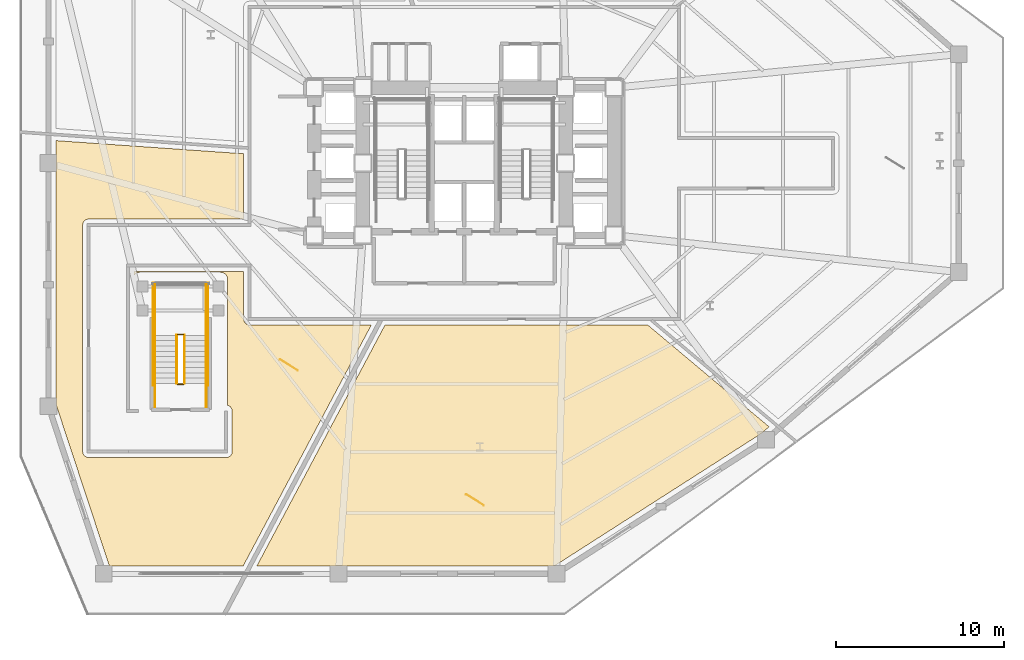
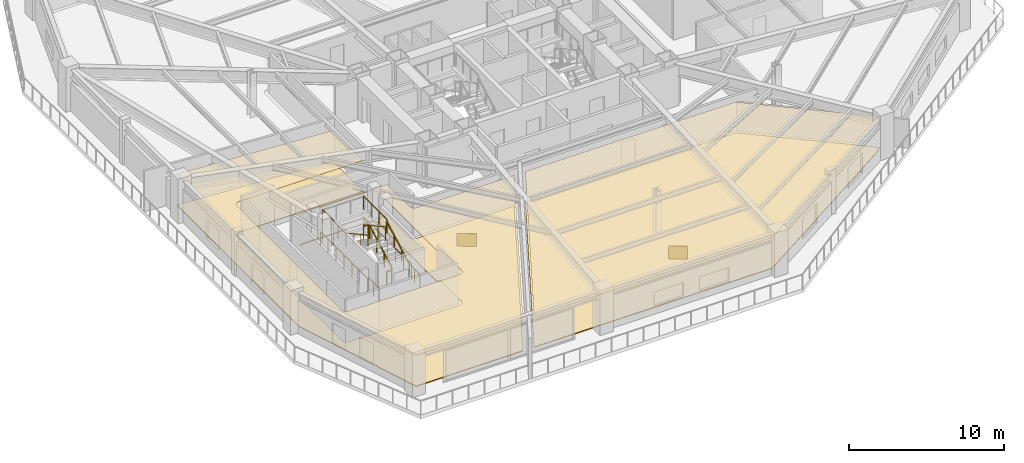
# One storey, part 9 of 12: 12 railings, 6 coverings.
"""IFC4 building model written with IfcOpenShell, lengths in metres."""

from ifc_helpers import new_model, si_unit, direction, frame, origin, origin_2d, place, context, subcontext, project, spatial, polyline, rectangle, outline, extrude, material, layer, layer_set, type_object, element, save


model = new_model("IFC4")

# Units and contexts
model_context = context("Model", 3, precision=1e-05, world=origin(), true_north=direction((0.0, 1.0)))
body_context = subcontext(model_context, "Body", "Model", "MODEL_VIEW")
ifc_project = project(units=[si_unit("LENGTHUNIT", "METRE"), si_unit("AREAUNIT", "SQUARE_METRE"), si_unit("VOLUMEUNIT", "CUBIC_METRE"), si_unit("PLANEANGLEUNIT", "RADIAN"), si_unit("MASSUNIT", "GRAM", prefix="KILO")], contexts=[model_context])

# Site, building, storey
site_placement = place(None, origin())
site = spatial("IfcSite", under=ifc_project, at=site_placement, CompositionType="ELEMENT")
building_placement = place(site_placement, origin())
building = spatial("IfcBuilding", under=site, at=building_placement, Name="Rocaltana Carrier Exchange", CompositionType="ELEMENT")
storey_placement = place(building_placement, frame((0.0, 0.0, 8.320068359375)))
storey = spatial("IfcBuildingStorey", under=building, at=storey_placement, Name="L03", CompositionType="ELEMENT", Elevation=8.320068359375)

# Coverings
ifc_material_1 = material(Name="Calcium Sulphate & Aluminium Pedestal", Category="aluminium")
ifc_layer_1 = layer(ifc_material_1, 0.06005859375)
ifc_layer_set_1 = layer_set([ifc_layer_1], Name="Calcium Sulphate & Aluminium Pedestal")
covering_type_1 = type_object("IfcCoveringType", Name="Anti-Static Raised Exchange Access Floor 60", PredefinedType="FLOORING", material=ifc_layer_set_1)
covering_1_placement = place(storey_placement, origin())
element("IfcCovering", 1, at=covering_1_placement, inside=storey, type_object=covering_type_1, Name="L03 Network Engineering Studio Finish Floor", PredefinedType="FLOORING", context=body_context, shape_type="SweptSolid", body=[
    extrude(outline(polyline([(-24.340087890625, 1.341064453125), (-13.159912109375, 0.559326171875), (-13.159912109375, -3.340087890625), (-22.39990234375, -3.340087890625), (-22.413818359375, -3.34033203125), (-22.421630859375, -3.3408203125), (-22.448974609375, -3.343505859375), (-22.456787109375, -3.344482421875), (-22.483642578125, -3.349853515625), (-22.4912109375, -3.351806640625), (-22.517578125, -3.35986328125), (-22.52490234375, -3.362548828125), (-22.55029296875, -3.373046875), (-22.557373046875, -3.376220703125), (-22.581787109375, -3.389404296875), (-22.58837890625, -3.393310546875), (-22.611083984375, -3.40869140625), (-22.617431640625, -3.413330078125), (-22.638916015625, -3.4306640625), (-22.64453125, -3.43603515625), (-22.6640625, -3.455322265625), (-22.669189453125, -3.461181640625), (-22.686767578125, -3.482421875), (-22.69140625, -3.48876953125), (-22.706787109375, -3.51171875), (-22.710693359375, -3.518310546875), (-22.7236328125, -3.54248046875), (-22.72705078125, -3.5498046875), (-22.737548828125, -3.5751953125), (-22.740234375, -3.58251953125), (-22.748291015625, -3.608642578125), (-22.75, -3.616455078125), (-22.75537109375, -3.643310546875), (-22.756591796875, -3.651123046875), (-22.75927734375, -3.678466796875), (-22.759765625, -3.686279296875), (-22.760009765625, -3.699951171875), (-22.760009765625, -17.199951171875), (-22.759765625, -17.213623046875), (-22.75927734375, -17.2216796875), (-22.756591796875, -17.248779296875), (-22.75537109375, -17.256591796875), (-22.75, -17.28369140625), (-22.748291015625, -17.291259765625), (-22.740234375, -17.317626953125), (-22.737548828125, -17.324951171875), (-22.72705078125, -17.350341796875), (-22.7236328125, -17.357421875), (-22.710693359375, -17.381591796875), (-22.706787109375, -17.388427734375), (-22.69140625, -17.4111328125), (-22.686767578125, -17.41748046875), (-22.669189453125, -17.438720703125), (-22.6640625, -17.444580078125), (-22.64453125, -17.464111328125), (-22.638916015625, -17.46923828125), (-22.617431640625, -17.48681640625), (-22.611083984375, -17.491455078125), (-22.58837890625, -17.506591796875), (-22.581787109375, -17.5107421875), (-22.557373046875, -17.523681640625), (-22.55029296875, -17.527099609375), (-22.52490234375, -17.53759765625), (-22.517578125, -17.540283203125), (-22.4912109375, -17.548095703125), (-22.483642578125, -17.550048828125), (-22.456787109375, -17.555419921875), (-22.448974609375, -17.556640625), (-22.421630859375, -17.559326171875), (-22.413818359375, -17.559814453125), (-22.39990234375, -17.56005859375), (-14.199951171875, -17.56005859375), (-14.186279296875, -17.559814453125), (-14.178466796875, -17.559326171875), (-14.151123046875, -17.556640625), (-14.143310546875, -17.555419921875), (-14.116455078125, -17.550048828125), (-14.108642578125, -17.548095703125), (-14.08251953125, -17.540283203125), (-14.0751953125, -17.53759765625), (-14.0498046875, -17.527099609375), (-14.04248046875, -17.523681640625), (-14.018310546875, -17.5107421875), (-14.01171875, -17.506591796875), (-13.98876953125, -17.491455078125), (-13.982421875, -17.48681640625), (-13.961181640625, -17.46923828125), (-13.955322265625, -17.464111328125), (-13.93603515625, -17.444580078125), (-13.9306640625, -17.438720703125), (-13.913330078125, -17.41748046875), (-13.90869140625, -17.4111328125), (-13.893310546875, -17.388427734375), (-13.889404296875, -17.381591796875), (-13.876220703125, -17.357421875), (-13.873046875, -17.350341796875), (-13.862548828125, -17.324951171875), (-13.85986328125, -17.317626953125), (-13.851806640625, -17.291259765625), (-13.849853515625, -17.28369140625), (-13.844482421875, -17.256591796875), (-13.843505859375, -17.248779296875), (-13.8408203125, -17.2216796875), (-13.84033203125, -17.213623046875), (-13.840087890625, -17.199951171875), (-13.840087890625, -14.800048828125), (-13.84033203125, -14.786376953125), (-13.8408203125, -14.7783203125), (-13.843505859375, -14.751220703125), (-13.844482421875, -14.743408203125), (-13.849853515625, -14.71630859375), (-13.851806640625, -14.708740234375), (-13.85986328125, -14.682373046875), (-13.862548828125, -14.675048828125), (-13.873046875, -14.649658203125), (-13.876220703125, -14.642578125), (-13.889404296875, -14.618408203125), (-13.893310546875, -14.611572265625), (-13.90869140625, -14.5888671875), (-13.913330078125, -14.58251953125), (-13.9306640625, -14.561279296875), (-13.93603515625, -14.555419921875), (-13.955322265625, -14.535888671875), (-13.961181640625, -14.53076171875), (-13.982421875, -14.51318359375), (-13.98876953125, -14.508544921875), (-14.01171875, -14.493408203125), (-14.018310546875, -14.4892578125), (-14.04248046875, -14.476318359375), (-14.0498046875, -14.472900390625), (-14.0751953125, -14.46240234375), (-14.08251953125, -14.459716796875), (-14.108642578125, -14.451904296875), (-14.110107421875, -14.451416015625), (-14.110107421875, -6.949951171875), (-14.1103515625, -6.936279296875), (-14.111083984375, -6.920654296875), (-14.11376953125, -6.893310546875), (-14.1162109375, -6.877685546875), (-14.12158203125, -6.850830078125), (-14.125244140625, -6.83544921875), (-14.13330078125, -6.80908203125), (-14.138427734375, -6.79443359375), (-14.149169921875, -6.76904296875), (-14.15576171875, -6.7548828125), (-14.168701171875, -6.730712890625), (-14.1767578125, -6.71728515625), (-14.192138671875, -6.6943359375), (-14.201416015625, -6.681640625), (-14.218994140625, -6.660400390625), (-14.2294921875, -6.648681640625), (-14.248779296875, -6.62939453125), (-14.260498046875, -6.618896484375), (-14.28173828125, -6.601318359375), (-14.294189453125, -6.592041015625), (-14.317138671875, -6.576904296875), (-14.33056640625, -6.568603515625), (-14.35498046875, -6.555908203125), (-14.369140625, -6.549072265625), (-14.394287109375, -6.53857421875), (-14.4091796875, -6.533203125), (-14.435546875, -6.525390625), (-14.45068359375, -6.521484375), (-14.477783203125, -6.51611328125), (-14.4931640625, -6.513916015625), (-14.5205078125, -6.510986328125), (-14.536376953125, -6.51025390625), (-14.550048828125, -6.510009765625), (-19.35009765625, -6.510009765625), (-19.36376953125, -6.51025390625), (-19.37939453125, -6.510986328125), (-19.40673828125, -6.513916015625), (-19.42236328125, -6.51611328125), (-19.44921875, -6.521484375), (-19.464599609375, -6.525390625), (-19.49072265625, -6.533203125), (-19.505615234375, -6.53857421875), (-19.531005859375, -6.549072265625), (-19.545166015625, -6.555908203125), (-19.5693359375, -6.568603515625), (-19.582763671875, -6.576904296875), (-19.605712890625, -6.592041015625), (-19.618408203125, -6.601318359375), (-19.639404296875, -6.618896484375), (-19.651123046875, -6.62939453125), (-19.670654296875, -6.648681640625), (-19.68115234375, -6.660400390625), (-19.68994140625, -6.671142578125), (-19.68994140625, -6.4599609375), (-13.159912109375, -6.4599609375), (-13.159912109375, -9.300048828125), (-13.15966796875, -9.313720703125), (-13.1591796875, -9.321533203125), (-13.156494140625, -9.348876953125), (-13.155517578125, -9.356689453125), (-13.150146484375, -9.383544921875), (-13.148193359375, -9.391357421875), (-13.14013671875, -9.41748046875), (-13.137451171875, -9.4248046875), (-13.126953125, -9.4501953125), (-13.123779296875, -9.45751953125), (-13.110595703125, -9.481689453125), (-13.106689453125, -9.48828125), (-13.09130859375, -9.51123046875), (-13.086669921875, -9.517578125), (-13.0693359375, -9.538818359375), (-13.06396484375, -9.544677734375), (-13.044677734375, -9.56396484375), (-13.038818359375, -9.5693359375), (-13.017578125, -9.586669921875), (-13.01123046875, -9.59130859375), (-12.98828125, -9.606689453125), (-12.981689453125, -9.610595703125), (-12.95751953125, -9.623779296875), (-12.9501953125, -9.626953125), (-12.9248046875, -9.637451171875), (-12.91748046875, -9.64013671875), (-12.891357421875, -9.648193359375), (-12.883544921875, -9.650146484375), (-12.856689453125, -9.655517578125), (-12.848876953125, -9.656494140625), (-12.821533203125, -9.6591796875), (-12.813720703125, -9.65966796875), (-12.800048828125, -9.659912109375), (-5.5439453125, -9.659912109375), (-13.18994140625, -24.0400390625), (-21.16748046875, -24.0400390625), (-24.340087890625, -14.426025390625), (-24.340087890625, 1.341064453125)])), origin(), (0.0, 0.0, 1.0), 0.059814453125),
])
covering_2_placement = place(storey_placement, origin())
element("IfcCovering", 2, at=covering_2_placement, inside=storey, type_object=covering_type_1, Name="L03 Photonic Integration Workshop Finish Floor", PredefinedType="FLOORING", context=body_context, shape_type="SweptSolid", body=[
    extrude(outline(polyline([(17.7236328125, -16.130615234375), (5.365478515625, -24.0400390625), (-12.37451171875, -24.0400390625), (-4.728515625, -9.659912109375), (10.952392578125, -9.659912109375), (18.185302734375, -15.729248046875), (17.7236328125, -16.130615234375)])), origin(), (0.0, 0.0, 1.0), 0.059814453125),
])
ifc_material_2 = material(Name="Mineral Fibre & Powder-Coated Aluminium", Category="aluminium")
ifc_layer_2 = layer(ifc_material_2, 0.044921875)
ifc_layer_set_2 = layer_set([ifc_layer_2], Name="Mineral Fibre & Powder-Coated Aluminium")
covering_type_2 = type_object("IfcCoveringType", Name="Micro-Perforated Acoustic Ceiling 45", PredefinedType="CEILING", material=ifc_layer_set_2)
covering_3_placement = place(storey_placement, frame((0.0, 0.0, 2.44287109375)))
element("IfcCovering", 3, at=covering_3_placement, inside=storey, type_object=covering_type_2, Name="L03 Network Engineering Studio Acoustic Ceiling", PredefinedType="CEILING", context=body_context, shape_type="SweptSolid", body=[
    extrude(outline(polyline([(-24.340087890625, 1.341064453125), (-13.159912109375, 0.559326171875), (-13.159912109375, -3.340087890625), (-22.39990234375, -3.340087890625), (-22.413818359375, -3.34033203125), (-22.421630859375, -3.3408203125), (-22.448974609375, -3.343505859375), (-22.456787109375, -3.344482421875), (-22.483642578125, -3.349853515625), (-22.4912109375, -3.351806640625), (-22.517578125, -3.35986328125), (-22.52490234375, -3.362548828125), (-22.55029296875, -3.373046875), (-22.557373046875, -3.376220703125), (-22.581787109375, -3.389404296875), (-22.58837890625, -3.393310546875), (-22.611083984375, -3.40869140625), (-22.617431640625, -3.413330078125), (-22.638916015625, -3.4306640625), (-22.64453125, -3.43603515625), (-22.6640625, -3.455322265625), (-22.669189453125, -3.461181640625), (-22.686767578125, -3.482421875), (-22.69140625, -3.48876953125), (-22.706787109375, -3.51171875), (-22.710693359375, -3.518310546875), (-22.7236328125, -3.54248046875), (-22.72705078125, -3.5498046875), (-22.737548828125, -3.5751953125), (-22.740234375, -3.58251953125), (-22.748291015625, -3.608642578125), (-22.75, -3.616455078125), (-22.75537109375, -3.643310546875), (-22.756591796875, -3.651123046875), (-22.75927734375, -3.678466796875), (-22.759765625, -3.686279296875), (-22.760009765625, -3.699951171875), (-22.760009765625, -17.199951171875), (-22.759765625, -17.213623046875), (-22.75927734375, -17.2216796875), (-22.756591796875, -17.248779296875), (-22.75537109375, -17.256591796875), (-22.75, -17.28369140625), (-22.748291015625, -17.291259765625), (-22.740234375, -17.317626953125), (-22.737548828125, -17.324951171875), (-22.72705078125, -17.350341796875), (-22.7236328125, -17.357421875), (-22.710693359375, -17.381591796875), (-22.706787109375, -17.388427734375), (-22.69140625, -17.4111328125), (-22.686767578125, -17.41748046875), (-22.669189453125, -17.438720703125), (-22.6640625, -17.444580078125), (-22.64453125, -17.464111328125), (-22.638916015625, -17.46923828125), (-22.617431640625, -17.48681640625), (-22.611083984375, -17.491455078125), (-22.58837890625, -17.506591796875), (-22.581787109375, -17.5107421875), (-22.557373046875, -17.523681640625), (-22.55029296875, -17.527099609375), (-22.52490234375, -17.53759765625), (-22.517578125, -17.540283203125), (-22.4912109375, -17.548095703125), (-22.483642578125, -17.550048828125), (-22.456787109375, -17.555419921875), (-22.448974609375, -17.556640625), (-22.421630859375, -17.559326171875), (-22.413818359375, -17.559814453125), (-22.39990234375, -17.56005859375), (-14.199951171875, -17.56005859375), (-14.186279296875, -17.559814453125), (-14.178466796875, -17.559326171875), (-14.151123046875, -17.556640625), (-14.143310546875, -17.555419921875), (-14.116455078125, -17.550048828125), (-14.108642578125, -17.548095703125), (-14.08251953125, -17.540283203125), (-14.0751953125, -17.53759765625), (-14.0498046875, -17.527099609375), (-14.04248046875, -17.523681640625), (-14.018310546875, -17.5107421875), (-14.01171875, -17.506591796875), (-13.98876953125, -17.491455078125), (-13.982421875, -17.48681640625), (-13.961181640625, -17.46923828125), (-13.955322265625, -17.464111328125), (-13.93603515625, -17.444580078125), (-13.9306640625, -17.438720703125), (-13.913330078125, -17.41748046875), (-13.90869140625, -17.4111328125), (-13.893310546875, -17.388427734375), (-13.889404296875, -17.381591796875), (-13.876220703125, -17.357421875), (-13.873046875, -17.350341796875), (-13.862548828125, -17.324951171875), (-13.85986328125, -17.317626953125), (-13.851806640625, -17.291259765625), (-13.849853515625, -17.28369140625), (-13.844482421875, -17.256591796875), (-13.843505859375, -17.248779296875), (-13.8408203125, -17.2216796875), (-13.84033203125, -17.213623046875), (-13.840087890625, -17.199951171875), (-13.840087890625, -14.800048828125), (-13.84033203125, -14.786376953125), (-13.8408203125, -14.7783203125), (-13.843505859375, -14.751220703125), (-13.844482421875, -14.743408203125), (-13.849853515625, -14.71630859375), (-13.851806640625, -14.708740234375), (-13.85986328125, -14.682373046875), (-13.862548828125, -14.675048828125), (-13.873046875, -14.649658203125), (-13.876220703125, -14.642578125), (-13.889404296875, -14.618408203125), (-13.893310546875, -14.611572265625), (-13.90869140625, -14.5888671875), (-13.913330078125, -14.58251953125), (-13.9306640625, -14.561279296875), (-13.93603515625, -14.555419921875), (-13.955322265625, -14.535888671875), (-13.961181640625, -14.53076171875), (-13.982421875, -14.51318359375), (-13.98876953125, -14.508544921875), (-14.01171875, -14.493408203125), (-14.018310546875, -14.4892578125), (-14.04248046875, -14.476318359375), (-14.0498046875, -14.472900390625), (-14.0751953125, -14.46240234375), (-14.08251953125, -14.459716796875), (-14.108642578125, -14.451904296875), (-14.110107421875, -14.451416015625), (-14.110107421875, -6.949951171875), (-14.1103515625, -6.936279296875), (-14.111083984375, -6.920654296875), (-14.11376953125, -6.893310546875), (-14.1162109375, -6.877685546875), (-14.12158203125, -6.850830078125), (-14.125244140625, -6.83544921875), (-14.13330078125, -6.80908203125), (-14.138427734375, -6.79443359375), (-14.149169921875, -6.76904296875), (-14.15576171875, -6.7548828125), (-14.168701171875, -6.730712890625), (-14.1767578125, -6.71728515625), (-14.192138671875, -6.6943359375), (-14.201416015625, -6.681640625), (-14.218994140625, -6.660400390625), (-14.2294921875, -6.648681640625), (-14.248779296875, -6.62939453125), (-14.260498046875, -6.618896484375), (-14.28173828125, -6.601318359375), (-14.294189453125, -6.592041015625), (-14.317138671875, -6.576904296875), (-14.33056640625, -6.568603515625), (-14.35498046875, -6.555908203125), (-14.369140625, -6.549072265625), (-14.394287109375, -6.53857421875), (-14.4091796875, -6.533203125), (-14.435546875, -6.525390625), (-14.45068359375, -6.521484375), (-14.477783203125, -6.51611328125), (-14.4931640625, -6.513916015625), (-14.5205078125, -6.510986328125), (-14.536376953125, -6.51025390625), (-14.550048828125, -6.510009765625), (-19.35009765625, -6.510009765625), (-19.36376953125, -6.51025390625), (-19.37939453125, -6.510986328125), (-19.40673828125, -6.513916015625), (-19.42236328125, -6.51611328125), (-19.44921875, -6.521484375), (-19.464599609375, -6.525390625), (-19.49072265625, -6.533203125), (-19.505615234375, -6.53857421875), (-19.531005859375, -6.549072265625), (-19.545166015625, -6.555908203125), (-19.5693359375, -6.568603515625), (-19.582763671875, -6.576904296875), (-19.605712890625, -6.592041015625), (-19.618408203125, -6.601318359375), (-19.639404296875, -6.618896484375), (-19.651123046875, -6.62939453125), (-19.670654296875, -6.648681640625), (-19.68115234375, -6.660400390625), (-19.68994140625, -6.671142578125), (-19.68994140625, -6.4599609375), (-13.159912109375, -6.4599609375), (-13.159912109375, -9.300048828125), (-13.15966796875, -9.313720703125), (-13.1591796875, -9.321533203125), (-13.156494140625, -9.348876953125), (-13.155517578125, -9.356689453125), (-13.150146484375, -9.383544921875), (-13.148193359375, -9.391357421875), (-13.14013671875, -9.41748046875), (-13.137451171875, -9.4248046875), (-13.126953125, -9.4501953125), (-13.123779296875, -9.45751953125), (-13.110595703125, -9.481689453125), (-13.106689453125, -9.48828125), (-13.09130859375, -9.51123046875), (-13.086669921875, -9.517578125), (-13.0693359375, -9.538818359375), (-13.06396484375, -9.544677734375), (-13.044677734375, -9.56396484375), (-13.038818359375, -9.5693359375), (-13.017578125, -9.586669921875), (-13.01123046875, -9.59130859375), (-12.98828125, -9.606689453125), (-12.981689453125, -9.610595703125), (-12.95751953125, -9.623779296875), (-12.9501953125, -9.626953125), (-12.9248046875, -9.637451171875), (-12.91748046875, -9.64013671875), (-12.891357421875, -9.648193359375), (-12.883544921875, -9.650146484375), (-12.856689453125, -9.655517578125), (-12.848876953125, -9.656494140625), (-12.821533203125, -9.6591796875), (-12.813720703125, -9.65966796875), (-12.800048828125, -9.659912109375), (-5.5439453125, -9.659912109375), (-13.18994140625, -24.0400390625), (-21.16748046875, -24.0400390625), (-24.340087890625, -14.426025390625), (-24.340087890625, 1.341064453125)])), origin(), (0.0, 0.0, 1.0), 0.045166015625),
])
covering_4_placement = place(storey_placement, frame((0.0, 0.0, 2.44287109375)))
element("IfcCovering", 4, at=covering_4_placement, inside=storey, type_object=covering_type_2, Name="L03 Photonic Integration Workshop Acoustic Ceiling", PredefinedType="CEILING", context=body_context, shape_type="SweptSolid", body=[
    extrude(outline(polyline([(17.7236328125, -16.130615234375), (5.365478515625, -24.0400390625), (-12.37451171875, -24.0400390625), (-4.728515625, -9.659912109375), (10.952392578125, -9.659912109375), (18.185302734375, -15.729248046875), (17.7236328125, -16.130615234375)])), origin(), (0.0, 0.0, 1.0), 0.045166015625),
])

# Railings
ifc_material_3 = material(Name="Brushed Architectural Stainless Tube", Category="steel")
ifc_layer_3 = layer(ifc_material_3, 0.048095703125)
ifc_layer_set_3 = layer_set([ifc_layer_3], Name="Brushed Architectural Stainless Tube")
railing_type_1 = type_object("IfcRailingType", Name="Stair Wall Handrail 920", PredefinedType="HANDRAIL", material=ifc_layer_set_3)
railing_1_placement = place(storey_placement, frame((-15.389892578125, -13.14990234375, 0.176025390625)))
element("IfcRailing", 5, at=railing_1_placement, inside=storey, type_object=railing_type_1, Name="L03 ST-3 stair handrail 1", PredefinedType="HANDRAIL", context=body_context, shape_type="SweptSolid", body=[
    extrude(rectangle(XDim=0.048095703125, YDim=0.048095703125, at=origin_2d()), frame((0.0, 0.0, 0.8759765625), z_axis=(0.0, 0.876209635416, 0.481930155525), x_axis=(-1.0, 0.0, 0.0)), (0.0, 0.0, 1.0), 3.286865234375),
    extrude(rectangle(XDim=0.0419921875, YDim=0.0419921875, at=origin_2d()), origin(), (0.0, 0.0, 1.0), 0.851806640625),
    extrude(rectangle(XDim=0.0419921875, YDim=0.0419921875, at=origin_2d()), frame((0.0, 0.9599609375, 0.528076171875)), (0.0, 0.0, 1.0), 0.851806640625),
    extrude(rectangle(XDim=0.0419921875, YDim=0.0419921875, at=origin_2d()), frame((0.0, 1.919921875, 1.055908203125)), (0.0, 0.0, 1.0), 0.851806640625),
    extrude(rectangle(XDim=0.0419921875, YDim=0.0419921875, at=origin_2d()), frame((0.0, 2.8798828125, 1.583984375)), (0.0, 0.0, 1.0), 0.851806640625),
])
railing_2_placement = place(storey_placement, frame((-18.449951171875, -10.27001953125, 1.93603515625)))
element("IfcRailing", 6, at=railing_2_placement, inside=storey, type_object=railing_type_1, Name="L03 ST-3 stair handrail 2", PredefinedType="HANDRAIL", context=body_context, shape_type="SweptSolid", body=[
    extrude(rectangle(XDim=0.048095703125, YDim=0.048095703125, at=origin_2d()), frame((0.0, 0.0, 0.8759765625), z_axis=(0.0, -0.876209635416, 0.481930155525), x_axis=(1.0, 0.0, 0.0)), (0.0, 0.0, 1.0), 3.286865234375),
    extrude(rectangle(XDim=0.0419921875, YDim=0.0419921875, at=origin_2d()), origin(), (0.0, 0.0, 1.0), 0.851806640625),
    extrude(rectangle(XDim=0.0419921875, YDim=0.0419921875, at=origin_2d()), frame((0.0, -0.9599609375, 0.528076171875)), (0.0, 0.0, 1.0), 0.851806640625),
    extrude(rectangle(XDim=0.0419921875, YDim=0.0419921875, at=origin_2d()), frame((0.0, -1.919921875, 1.055908203125)), (0.0, 0.0, 1.0), 0.851806640625),
    extrude(rectangle(XDim=0.0419921875, YDim=0.0419921875, at=origin_2d()), frame((0.0, -2.8798828125, 1.583984375)), (0.0, 0.0, 1.0), 0.851806640625),
])
ifc_material_4 = material(Name="Powder-Coated Aluminium 6063-T6", Category="aluminium")
ifc_layer_4 = layer(ifc_material_4, 0.048095703125)
ifc_layer_set_4 = layer_set([ifc_layer_4], Name="Powder-Coated Aluminium 6063-T6")
railing_type_2 = type_object("IfcRailingType", Name="Stair Well Guardrail 1100", PredefinedType="GUARDRAIL", material=ifc_layer_set_4)
railing_3_placement = place(storey_placement, frame((-16.68994140625, -13.14990234375, 0.176025390625)))
element("IfcRailing", 7, at=railing_3_placement, inside=storey, type_object=railing_type_2, Name="L03 ST-3 stair guard 1", PredefinedType="GUARDRAIL", context=body_context, shape_type="SweptSolid", body=[
    extrude(rectangle(XDim=0.048095703125, YDim=0.048095703125, at=origin_2d()), frame((0.0, 0.0, 1.076171875), z_axis=(0.0, 0.876209635416, 0.481930155525), x_axis=(-1.0, 0.0, 0.0)), (0.0, 0.0, 1.0), 3.286865234375),
    extrude(rectangle(XDim=0.0419921875, YDim=0.0419921875, at=origin_2d()), origin(), (0.0, 0.0, 1.0), 1.052001953125),
    extrude(rectangle(XDim=0.0419921875, YDim=0.0419921875, at=origin_2d()), frame((0.0, 0.9599609375, 0.528076171875)), (0.0, 0.0, 1.0), 1.052001953125),
    extrude(rectangle(XDim=0.0419921875, YDim=0.0419921875, at=origin_2d()), frame((0.0, 1.919921875, 1.055908203125)), (0.0, 0.0, 1.0), 1.052001953125),
    extrude(rectangle(XDim=0.0419921875, YDim=0.0419921875, at=origin_2d()), frame((0.0, 2.8798828125, 1.583984375)), (0.0, 0.0, 1.0), 1.052001953125),
])
railing_4_placement = place(storey_placement, frame((-16.739990234375, -10.219970703125, 1.760009765625)))
element("IfcRailing", 8, at=railing_4_placement, inside=storey, type_object=railing_type_2, Name="L03 ST-3 stair guard 2", PredefinedType="GUARDRAIL", context=body_context, shape_type="SweptSolid", body=[
    extrude(rectangle(XDim=0.048095703125, YDim=0.048095703125, at=origin_2d()), frame((0.0, 0.0, 1.076171875), z_axis=(-1.0, 0.0, 0.0), x_axis=(0.0, -1.0, 0.0)), (0.0, 0.0, 1.0), 0.360107421875),
    extrude(rectangle(XDim=0.0419921875, YDim=0.0419921875, at=origin_2d()), origin(), (0.0, 0.0, 1.0), 1.052001953125),
    extrude(rectangle(XDim=0.0419921875, YDim=0.0419921875, at=origin_2d()), frame((-0.360107421875, 0.0, 0.0)), (0.0, 0.0, 1.0), 1.052001953125),
])
for number, where, name in (
    (9, (-15.389892578125, -10.27001953125, 1.760009765625), "L03 ST-3 stair guard 3"),
    (10, (-18.449951171875, -10.27001953125, 1.760009765625), "L03 ST-3 stair guard 4"),
):
    element("IfcRailing", number, at=place(storey_placement, frame(where)), inside=storey, type_object=railing_type_2, Name=name, PredefinedType="GUARDRAIL", context=body_context, shape_type="SweptSolid", body=[
        extrude(rectangle(XDim=0.048095703125, YDim=0.048095703125, at=origin_2d()), frame((0.0, 0.0, 1.076171875), z_axis=(0.0, 1.0, 0.0), x_axis=(-1.0, 0.0, 0.0)), (0.0, 0.0, 1.0), 3.02001953125),
        extrude(rectangle(XDim=0.0419921875, YDim=0.0419921875, at=origin_2d()), origin(), (0.0, 0.0, 1.0), 1.052001953125),
        extrude(rectangle(XDim=0.0419921875, YDim=0.0419921875, at=origin_2d()), frame((0.0, 1.006591796875, 0.0)), (0.0, 0.0, 1.0), 1.052001953125),
        extrude(rectangle(XDim=0.0419921875, YDim=0.0419921875, at=origin_2d()), frame((0.0, 2.013427734375, 0.0)), (0.0, 0.0, 1.0), 1.052001953125),
        extrude(rectangle(XDim=0.0419921875, YDim=0.0419921875, at=origin_2d()), frame((0.0, 3.02001953125, 0.0)), (0.0, 0.0, 1.0), 1.052001953125),
    ])
railing_5_placement = place(storey_placement, frame((-17.14990234375, -10.27001953125, 1.93603515625)))
element("IfcRailing", 11, at=railing_5_placement, inside=storey, type_object=railing_type_2, Name="L03 ST-3 stair guard 6", PredefinedType="GUARDRAIL", context=body_context, shape_type="SweptSolid", body=[
    extrude(rectangle(XDim=0.048095703125, YDim=0.048095703125, at=origin_2d()), frame((0.0, 0.0, 1.076171875), z_axis=(0.0, -0.876209635416, 0.481930155525), x_axis=(1.0, 0.0, 0.0)), (0.0, 0.0, 1.0), 3.286865234375),
    extrude(rectangle(XDim=0.0419921875, YDim=0.0419921875, at=origin_2d()), origin(), (0.0, 0.0, 1.0), 1.052001953125),
    extrude(rectangle(XDim=0.0419921875, YDim=0.0419921875, at=origin_2d()), frame((0.0, -0.9599609375, 0.528076171875)), (0.0, 0.0, 1.0), 1.052001953125),
    extrude(rectangle(XDim=0.0419921875, YDim=0.0419921875, at=origin_2d()), frame((0.0, -1.919921875, 1.055908203125)), (0.0, 0.0, 1.0), 1.052001953125),
    extrude(rectangle(XDim=0.0419921875, YDim=0.0419921875, at=origin_2d()), frame((0.0, -2.8798828125, 1.583984375)), (0.0, 0.0, 1.0), 1.052001953125),
])
railing_6_placement = place(storey_placement, frame((-16.739990234375, -13.199951171875, 0.0)))
element("IfcRailing", 12, at=railing_6_placement, inside=storey, type_object=railing_type_2, Name="L03 ST-3 stair guard 7", PredefinedType="GUARDRAIL", context=body_context, shape_type="SweptSolid", body=[
    extrude(rectangle(XDim=0.048095703125, YDim=0.048095703125, at=origin_2d()), frame((0.0, 0.0, 1.076171875), z_axis=(-1.0, 0.0, 0.0), x_axis=(0.0, -1.0, 0.0)), (0.0, 0.0, 1.0), 0.360107421875),
    extrude(rectangle(XDim=0.0419921875, YDim=0.0419921875, at=origin_2d()), origin(), (0.0, 0.0, 1.0), 1.052001953125),
    extrude(rectangle(XDim=0.0419921875, YDim=0.0419921875, at=origin_2d()), frame((-0.360107421875, 0.0, 0.0)), (0.0, 0.0, 1.0), 1.052001953125),
])
for number, where, name in (
    (13, (-15.389892578125, -14.550048828125, 0.0), "L03 ST-3 stair guard 8"),
    (14, (-18.449951171875, -14.550048828125, 0.0), "L03 ST-3 stair guard 9"),
):
    element("IfcRailing", number, at=place(storey_placement, frame(where)), inside=storey, type_object=railing_type_2, Name=name, PredefinedType="GUARDRAIL", context=body_context, shape_type="SweptSolid", body=[
        extrude(rectangle(XDim=0.048095703125, YDim=0.048095703125, at=origin_2d()), frame((0.0, 0.0, 1.076171875), z_axis=(0.0, 1.0, 0.0), x_axis=(-1.0, 0.0, 0.0)), (0.0, 0.0, 1.0), 1.400146484375),
        extrude(rectangle(XDim=0.0419921875, YDim=0.0419921875, at=origin_2d()), origin(), (0.0, 0.0, 1.0), 1.052001953125),
        extrude(rectangle(XDim=0.0419921875, YDim=0.0419921875, at=origin_2d()), frame((0.0, 0.7001953125, 0.0)), (0.0, 0.0, 1.0), 1.052001953125),
        extrude(rectangle(XDim=0.0419921875, YDim=0.0419921875, at=origin_2d()), frame((0.0, 1.400146484375, 0.0)), (0.0, 0.0, 1.0), 1.052001953125),
    ])
for number, where, name in (
    (15, (-15.2900390625, -13.25, 0.0), "L03 ST-3 stair guard 10"),
    (16, (-18.550048828125, -13.25, 0.0), "L03 ST-3 stair guard 11"),
):
    element("IfcRailing", number, at=place(storey_placement, frame(where)), inside=storey, type_object=railing_type_2, Name=name, PredefinedType="GUARDRAIL", context=body_context, shape_type="SweptSolid", body=[
        extrude(rectangle(XDim=0.048095703125, YDim=0.048095703125, at=origin_2d()), frame((0.0, 0.0, 1.076171875), z_axis=(0.0, 1.0, 0.0), x_axis=(-1.0, 0.0, 0.0)), (0.0, 0.0, 1.0), 6.10009765625),
        extrude(rectangle(XDim=0.0419921875, YDim=0.0419921875, at=origin_2d()), origin(), (0.0, 0.0, 1.0), 1.052001953125),
        extrude(rectangle(XDim=0.0419921875, YDim=0.0419921875, at=origin_2d()), frame((0.0, 1.0166015625, 0.0)), (0.0, 0.0, 1.0), 1.052001953125),
        extrude(rectangle(XDim=0.0419921875, YDim=0.0419921875, at=origin_2d()), frame((0.0, 2.033447265625, 0.0)), (0.0, 0.0, 1.0), 1.052001953125),
        extrude(rectangle(XDim=0.0419921875, YDim=0.0419921875, at=origin_2d()), frame((0.0, 3.050048828125, 0.0)), (0.0, 0.0, 1.0), 1.052001953125),
        extrude(rectangle(XDim=0.0419921875, YDim=0.0419921875, at=origin_2d()), frame((0.0, 4.066650390625, 0.0)), (0.0, 0.0, 1.0), 1.052001953125),
        extrude(rectangle(XDim=0.0419921875, YDim=0.0419921875, at=origin_2d()), frame((0.0, 5.08349609375, 0.0)), (0.0, 0.0, 1.0), 1.052001953125),
        extrude(rectangle(XDim=0.0419921875, YDim=0.0419921875, at=origin_2d()), frame((0.0, 6.10009765625, 0.0)), (0.0, 0.0, 1.0), 1.052001953125),
    ])

# Coverings
ifc_material_5 = material(Name="Honed Piedra Muneca Sandstone", Category="masonry")
ifc_layer_5 = layer(ifc_material_5, 0.034912109375)
ifc_layer_set_5 = layer_set([ifc_layer_5], Name="Honed Piedra Muneca Sandstone")
covering_type_3 = type_object("IfcCoveringType", Name="Stone Facade Cladding 35", PredefinedType="CLADDING", material=ifc_layer_set_5)
for number, where, z_axis, x_axis, name in (
    (17, (-10.460693359375, -12.04296875, 0.0), (0.0, 0.0, 1.0), (-0.848048096156, 0.529919264233, 0.0), "L03 Stone Facade Cladding Panel 1"),
    (18, (0.63623046875, -20.08544921875, 0.0), (0.0, 0.0, 1.0), (-0.848048096156, 0.529919264233, 0.0), "L03 Stone Facade Cladding Panel 2"),
):
    element("IfcCovering", number, at=place(storey_placement, frame(where, z_axis=z_axis, x_axis=x_axis)), inside=storey, type_object=covering_type_3, Name=name, PredefinedType="CLADDING", context=body_context, shape_type="SweptSolid", body=[
        extrude(rectangle(XDim=1.25, YDim=0.034912109375, at=origin_2d()), origin(), (0.0, 0.0, 1.0), 1.050048828125),
    ])

save(model, "model.ifc")
